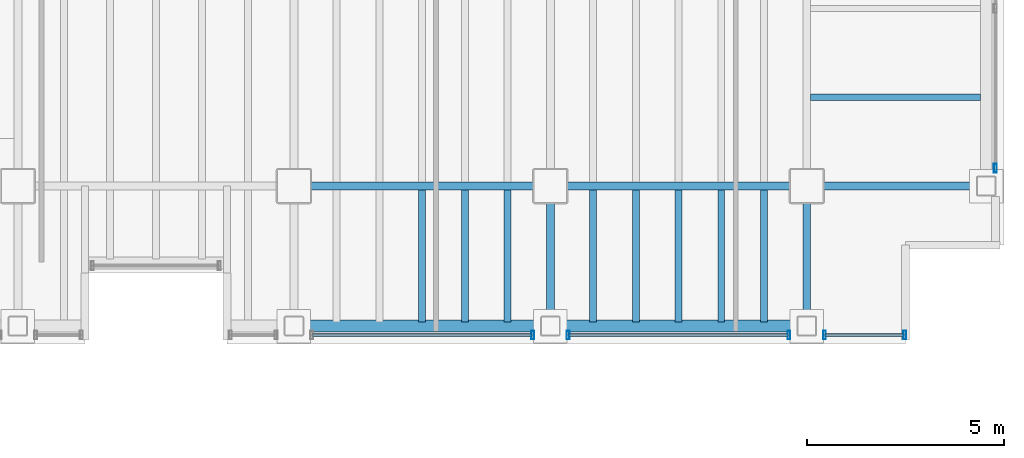
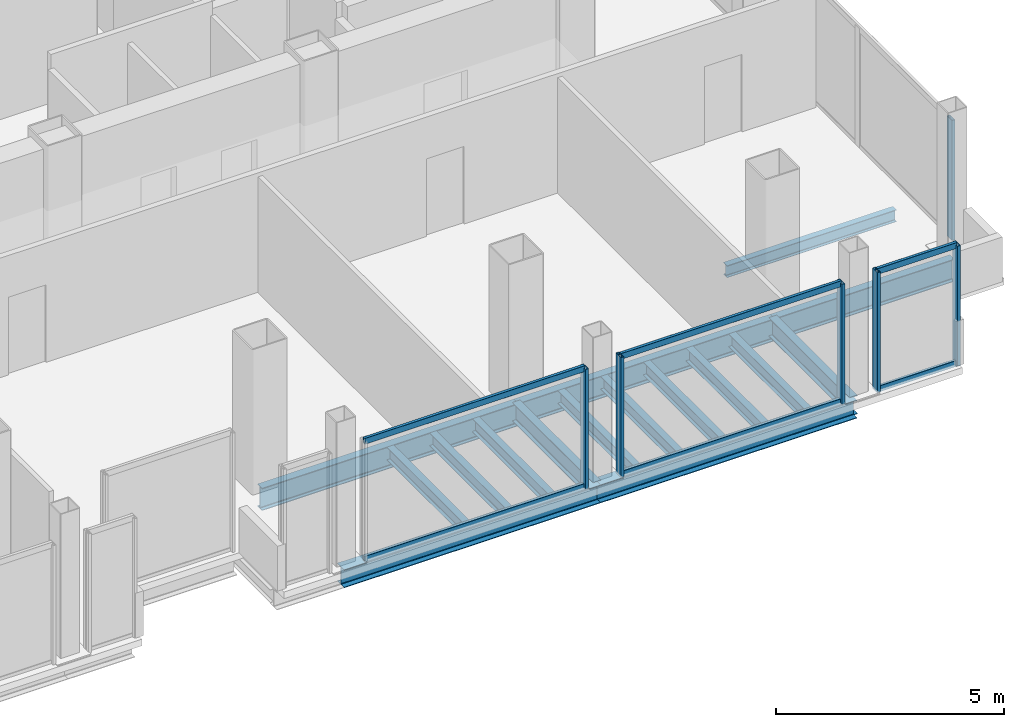
# One storey, part 11 of 18: 16 beams, 12 members, 4 elements without a shape of their own.
"""IFC4 building model written with IfcOpenShell, lengths in metres."""

from ifc_helpers import new_model, si_unit, direction, frame, origin, origin_2d, place, context, subcontext, project, spatial, hollow_rectangle, i_section, extrude, material, material_profile, profile_set, type_object, element, aggregate, save


model = new_model("IFC4")

# Units and contexts
model_context = context("Model", 3, precision=1e-05, world=origin(), true_north=direction((0.0, 1.0)))
body_context = subcontext(model_context, "Body", "Model", "MODEL_VIEW")
ifc_project = project(units=[si_unit("LENGTHUNIT", "METRE"), si_unit("AREAUNIT", "SQUARE_METRE"), si_unit("VOLUMEUNIT", "CUBIC_METRE"), si_unit("PLANEANGLEUNIT", "RADIAN"), si_unit("MASSUNIT", "GRAM", prefix="KILO")], contexts=[model_context])

# Site, building, storey
site_placement = place(None, origin())
site = spatial("IfcSite", under=ifc_project, at=site_placement, CompositionType="ELEMENT")
building_placement = place(site_placement, origin())
building = spatial("IfcBuilding", under=site, at=building_placement, Name="Noeulbin Bourse Tower", CompositionType="ELEMENT")
storey_placement = place(building_placement, frame((0.0, 0.0, 161.699951171875)))
storey = spatial("IfcBuildingStorey", under=building, at=storey_placement, Name="L40", CompositionType="ELEMENT", Elevation=161.699951171875)

# Beams
ifc_material_1 = material(Name="Steel S355", Category="steel")
ifc_material_profile_1 = material_profile(ifc_material_1, i_section(OverallWidth=0.199951171875, OverallDepth=0.5, WebThickness=0.010009765625, FlangeThickness=0.01611328125, FilletRadius=0.02001953125, at=origin_2d()), Name="H-500x200x10x16", Category="LoadBearing")
ifc_profile_set_1 = profile_set([ifc_material_profile_1], Name="Steel S355")
beam_type_1 = type_object("IfcBeamType", Name="BM-GRD-500", PredefinedType="USERDEFINED", material=ifc_profile_set_1)
for number, where, z_axis, x_axis, name in (
    (1, (37.5, 16.449951171875, -0.429931640625), (0.0, 1.0, 0.0), (-1.0, 0.0, 0.0), "Tower Primary Girder NS L40-4.1"),
    (2, (44.0, 16.449951171875, -0.429931640625), (0.0, 1.0, 0.0), (-1.0, 0.0, 0.0), "Tower Primary Girder NS L40-5.1"),
):
    element("IfcBeam", number, at=place(storey_placement, frame(where, z_axis=z_axis, x_axis=x_axis)), inside=storey, type_object=beam_type_1, Name=name, ObjectType="GIRDER", PredefinedType="USERDEFINED", context=body_context, shape_type="SweptSolid", body=[
        extrude(i_section(OverallWidth=0.199951171875, OverallDepth=0.5, WebThickness=0.010009765625, FlangeThickness=0.01611328125, FilletRadius=0.02001953125, at=origin_2d()), origin(), (0.0, 0.0, 1.0), 3.550048828125),
    ])
ifc_material_profile_2 = material_profile(ifc_material_1, i_section(OverallWidth=0.199951171875, OverallDepth=0.60009765625, WebThickness=0.010986328125, FlangeThickness=0.01708984375, FilletRadius=0.02197265625, at=origin_2d()), Name="H-600x200x11x17", Category="LoadBearing")
ifc_profile_set_2 = profile_set([ifc_material_profile_2], Name="Steel S355")
beam_type_2 = type_object("IfcBeamType", Name="BM-GRD-600", PredefinedType="USERDEFINED", material=ifc_profile_set_2)
for number, where, z_axis, x_axis, name in (
    (3, (31.0, 20.0, -0.47998046875), (1.0, 0.0, 0.0), (0.0, 1.0, 0.0), "Tower Primary Girder EW L40-1.4"),
    (4, (37.5, 20.0, -0.47998046875), (1.0, 0.0, 0.0), (0.0, 1.0, 0.0), "Tower Primary Girder EW L40-1.5"),
):
    element("IfcBeam", number, at=place(storey_placement, frame(where, z_axis=z_axis, x_axis=x_axis)), inside=storey, type_object=beam_type_2, Name=name, ObjectType="GIRDER", PredefinedType="USERDEFINED", context=body_context, shape_type="SweptSolid", body=[
        extrude(i_section(OverallWidth=0.199951171875, OverallDepth=0.60009765625, WebThickness=0.010986328125, FlangeThickness=0.01708984375, FilletRadius=0.02197265625, at=origin_2d()), origin(), (0.0, 0.0, 1.0), 6.5),
    ])
beam_1_placement = place(storey_placement, frame((44.0, 20.0, -0.47998046875), z_axis=(1.0, 0.0, 0.0), x_axis=(0.0, 1.0, 0.0)))
element("IfcBeam", 5, at=beam_1_placement, inside=storey, type_object=beam_type_2, Name="Tower Primary Girder EW L40-1.6", ObjectType="GIRDER", PredefinedType="USERDEFINED", context=body_context, shape_type="SweptSolid", body=[
    extrude(i_section(OverallWidth=0.199951171875, OverallDepth=0.60009765625, WebThickness=0.010986328125, FlangeThickness=0.01708984375, FilletRadius=0.02197265625, at=origin_2d()), origin(), (0.0, 0.0, 1.0), 4.550048828125),
])
ifc_material_profile_3 = material_profile(ifc_material_1, i_section(OverallWidth=0.159912109375, OverallDepth=0.320068359375, WebThickness=0.006591796875, FlangeThickness=0.010009765625, FilletRadius=0.012939453125, at=origin_2d()), Name="H-320x160x6.5x10", Category="LoadBearing")
ifc_profile_set_3 = profile_set([ifc_material_profile_3], Name="Steel S355")
beam_type_3 = type_object("IfcBeamType", Name="BM-JST-320", PredefinedType="JOIST", material=ifc_profile_set_3)
beam_2_placement = place(storey_placement, frame((44.10009765625, 22.25, -0.33984375), z_axis=(1.0, 0.0, 0.0), x_axis=(0.0, 1.0, 0.0)))
element("IfcBeam", 6, at=beam_2_placement, inside=storey, type_object=beam_type_3, Name="Wing Composite Joist L40-E73", PredefinedType="JOIST", context=body_context, shape_type="SweptSolid", body=[
    extrude(i_section(OverallWidth=0.159912109375, OverallDepth=0.320068359375, WebThickness=0.006591796875, FlangeThickness=0.010009765625, FilletRadius=0.012939453125, at=origin_2d()), origin(), (0.0, 0.0, 1.0), 4.2998046875),
])
ifc_material_profile_4 = material_profile(ifc_material_1, i_section(OverallWidth=0.175048828125, OverallDepth=0.35009765625, WebThickness=0.007080078125, FlangeThickness=0.010986328125, FilletRadius=0.013916015625, at=origin_2d()), Name="H-350x175x7x11", Category="LoadBearing")
ifc_profile_set_4 = profile_set([ifc_material_profile_4], Name="Steel S355")
beam_type_4 = type_object("IfcBeamType", Name="BM-JST-350", PredefinedType="JOIST", material=ifc_profile_set_4)
for number, where, z_axis, x_axis, name in (
    (7, (34.25, 16.550048828125, -0.35498046875), (0.0, 1.0, 0.0), (-1.0, 0.0, 0.0), "Tower Composite Joist L40-46"),
    (8, (35.333251953125, 16.550048828125, -0.35498046875), (0.0, 1.0, 0.0), (-1.0, 0.0, 0.0), "Tower Composite Joist L40-49"),
    (9, (36.416748046875, 16.550048828125, -0.35498046875), (0.0, 1.0, 0.0), (-1.0, 0.0, 0.0), "Tower Composite Joist L40-52"),
    (10, (38.583251953125, 16.550048828125, -0.35498046875), (0.0, 1.0, 0.0), (-1.0, 0.0, 0.0), "Tower Composite Joist L40-55"),
    (11, (39.666748046875, 16.550048828125, -0.35498046875), (0.0, 1.0, 0.0), (-1.0, 0.0, 0.0), "Tower Composite Joist L40-58"),
    (12, (40.75, 16.550048828125, -0.35498046875), (0.0, 1.0, 0.0), (-1.0, 0.0, 0.0), "Tower Composite Joist L40-61"),
    (13, (41.833251953125, 16.550048828125, -0.35498046875), (0.0, 1.0, 0.0), (-1.0, 0.0, 0.0), "Tower Composite Joist L40-64"),
    (14, (42.916748046875, 16.550048828125, -0.35498046875), (0.0, 1.0, 0.0), (-1.0, 0.0, 0.0), "Tower Composite Joist L40-67"),
):
    element("IfcBeam", number, at=place(storey_placement, frame(where, z_axis=z_axis, x_axis=x_axis)), inside=storey, type_object=beam_type_4, Name=name, PredefinedType="JOIST", context=body_context, shape_type="SweptSolid", body=[
        extrude(i_section(OverallWidth=0.175048828125, OverallDepth=0.35009765625, WebThickness=0.007080078125, FlangeThickness=0.010986328125, FilletRadius=0.013916015625, at=origin_2d()), origin(), (0.0, 0.0, 1.0), 3.349853515625),
    ])
ifc_material_profile_5 = material_profile(ifc_material_1, i_section(OverallWidth=0.300048828125, OverallDepth=0.488037109375, WebThickness=0.010986328125, FlangeThickness=0.01806640625, FilletRadius=0.02197265625, at=origin_2d()), Name="H-488x300x11x18", Category="LoadBearing")
ifc_profile_set_5 = profile_set([ifc_material_profile_5], Name="Steel S355")
beam_type_5 = type_object("IfcBeamType", Name="BM-SPN-488", PredefinedType="SPANDREL", material=ifc_profile_set_5)
for number, where, z_axis, x_axis, name in (
    (15, (31.0, 16.449951171875, -0.424072265625), (1.0, 0.0, 0.0), (0.0, 1.0, 0.0), "South Spandrel L40-3"),
    (16, (37.5, 16.449951171875, -0.424072265625), (1.0, 0.0, 0.0), (0.0, 1.0, 0.0), "South Spandrel L40-4"),
):
    element("IfcBeam", number, at=place(storey_placement, frame(where, z_axis=z_axis, x_axis=x_axis)), inside=storey, type_object=beam_type_5, Name=name, PredefinedType="SPANDREL", context=body_context, shape_type="SweptSolid", body=[
        extrude(i_section(OverallWidth=0.300048828125, OverallDepth=0.488037109375, WebThickness=0.010986328125, FlangeThickness=0.01806640625, FilletRadius=0.02197265625, at=origin_2d()), origin(), (0.0, 0.0, 1.0), 6.5),
    ])

# Curtain wall, member
ifc_material_2 = material(Name="Dark Tinted Triple Glazing", Category="glass")
curtain_wall_type = type_object("IfcCurtainWallType", Name="CW-SYS-3", PredefinedType="NOTDEFINED", material=ifc_material_2)
curtain_wall_1_placement = place(storey_placement, origin())
curtain_wall_1 = element("IfcCurtainWall", 17, at=curtain_wall_1_placement, inside=storey, type_object=curtain_wall_type, Name="Unitised Curtain Wall CW-L40-S3-S2", PredefinedType="NOTDEFINED")
ifc_material_3 = material(Name="Anodised Aluminium 6063-T6", Category="aluminium")
ifc_material_profile_6 = material_profile(ifc_material_3, hollow_rectangle(XDim=0.074951171875, YDim=0.219970703125, WallThickness=0.0048828125, InnerFilletRadius=0.00244140625, OuterFilletRadius=0.0048828125, at=origin_2d()), Name="ALU-MULL-75x220x5", Category="LoadBearing")
ifc_profile_set_6 = profile_set([ifc_material_profile_6], Name="Anodised Aluminium 6063-T6")
member_type_1 = type_object("IfcMemberType", Name="CW-SYS-3-MUL", PredefinedType="MULLION", material=ifc_profile_set_6)
member_1_placement = place(storey_placement, frame((37.050048828125, 16.219970703125, -0.02001953125), z_axis=(0.0, 0.0, 1.0), x_axis=(1.0, 0.0, 0.0)))
member_1 = element("IfcMember", 18, at=member_1_placement, type_object=member_type_1, Name="Curtain Wall Mullion CW-L40-S3-S2-M01", PredefinedType="MULLION", context=body_context, shape_type="SweptSolid", body=[
    extrude(hollow_rectangle(XDim=0.074951171875, YDim=0.219970703125, WallThickness=0.0048828125, InnerFilletRadius=0.00244140625, OuterFilletRadius=0.0048828125, at=origin_2d()), origin(), (0.0, 0.0, 1.0), 3.219970703125),
])

# Curtain wall, members
curtain_wall_2_placement = place(storey_placement, origin())
curtain_wall_2 = element("IfcCurtainWall", 19, at=curtain_wall_2_placement, inside=storey, type_object=curtain_wall_type, Name="Unitised Curtain Wall CW-L40-S3-S3", PredefinedType="NOTDEFINED")
member_2_placement = place(storey_placement, frame((37.949951171875, 16.219970703125, -0.02001953125), z_axis=(0.0, 0.0, 1.0), x_axis=(1.0, 0.0, 0.0)))
member_2 = element("IfcMember", 20, at=member_2_placement, type_object=member_type_1, Name="Curtain Wall Mullion CW-L40-S3-S3-M00", PredefinedType="MULLION", context=body_context, shape_type="SweptSolid", body=[
    extrude(hollow_rectangle(XDim=0.074951171875, YDim=0.219970703125, WallThickness=0.0048828125, InnerFilletRadius=0.00244140625, OuterFilletRadius=0.0048828125, at=origin_2d()), origin(), (0.0, 0.0, 1.0), 3.219970703125),
])
member_3_placement = place(storey_placement, frame((43.550048828125, 16.219970703125, -0.02001953125), z_axis=(0.0, 0.0, 1.0), x_axis=(1.0, 0.0, 0.0)))
member_3 = element("IfcMember", 21, at=member_3_placement, type_object=member_type_1, Name="Curtain Wall Mullion CW-L40-S3-S3-M01", PredefinedType="MULLION", context=body_context, shape_type="SweptSolid", body=[
    extrude(hollow_rectangle(XDim=0.074951171875, YDim=0.219970703125, WallThickness=0.0048828125, InnerFilletRadius=0.00244140625, OuterFilletRadius=0.0048828125, at=origin_2d()), origin(), (0.0, 0.0, 1.0), 3.219970703125),
])

curtain_wall_3_placement = place(storey_placement, origin())
curtain_wall_3 = element("IfcCurtainWall", 22, at=curtain_wall_3_placement, inside=storey, type_object=curtain_wall_type, Name="Unitised Curtain Wall CW-L40-S3-S4", PredefinedType="NOTDEFINED")
member_4_placement = place(storey_placement, frame((44.449951171875, 16.219970703125, -0.02001953125), z_axis=(0.0, 0.0, 1.0), x_axis=(1.0, 0.0, 0.0)))
member_4 = element("IfcMember", 23, at=member_4_placement, type_object=member_type_1, Name="Curtain Wall Mullion CW-L40-S3-S4-M00", PredefinedType="MULLION", context=body_context, shape_type="SweptSolid", body=[
    extrude(hollow_rectangle(XDim=0.074951171875, YDim=0.219970703125, WallThickness=0.0048828125, InnerFilletRadius=0.00244140625, OuterFilletRadius=0.0048828125, at=origin_2d()), origin(), (0.0, 0.0, 1.0), 3.219970703125),
])
member_5_placement = place(storey_placement, frame((46.47998046875, 16.219970703125, -0.02001953125), z_axis=(0.0, 0.0, 1.0), x_axis=(1.0, 0.0, 0.0)))
member_5 = element("IfcMember", 24, at=member_5_placement, type_object=member_type_1, Name="Curtain Wall Mullion CW-L40-S3-S4-M01", PredefinedType="MULLION", context=body_context, shape_type="SweptSolid", body=[
    extrude(hollow_rectangle(XDim=0.074951171875, YDim=0.219970703125, WallThickness=0.0048828125, InnerFilletRadius=0.00244140625, OuterFilletRadius=0.0048828125, at=origin_2d()), origin(), (0.0, 0.0, 1.0), 3.219970703125),
])

# Curtain wall, member
curtain_wall_4_placement = place(storey_placement, origin())
curtain_wall_4 = element("IfcCurtainWall", 25, at=curtain_wall_4_placement, inside=storey, type_object=curtain_wall_type, Name="Unitised Curtain Wall CW-L40-E-S1", PredefinedType="NOTDEFINED")
member_6_placement = place(storey_placement, frame((48.780029296875, 20.449951171875, -0.02001953125), z_axis=(0.0, 0.0, 1.0), x_axis=(1.0, 0.0, 0.0)))
member_6 = element("IfcMember", 26, at=member_6_placement, type_object=member_type_1, Name="Curtain Wall Mullion CW-L40-E-S1-M00", PredefinedType="MULLION", context=body_context, shape_type="SweptSolid", body=[
    extrude(hollow_rectangle(XDim=0.074951171875, YDim=0.219970703125, WallThickness=0.0048828125, InnerFilletRadius=0.00244140625, OuterFilletRadius=0.0048828125, at=origin_2d()), origin(), (0.0, 0.0, 1.0), 3.219970703125),
])
aggregate(curtain_wall_4, [member_6])

# Member
ifc_material_profile_7 = material_profile(ifc_material_3, hollow_rectangle(XDim=0.074951171875, YDim=0.159912109375, WallThickness=0.0048828125, InnerFilletRadius=0.00244140625, OuterFilletRadius=0.0048828125, at=origin_2d()), Name="ALU-TRAN-75x160x5", Category="LoadBearing")
ifc_profile_set_7 = profile_set([ifc_material_profile_7], Name="Anodised Aluminium 6063-T6")
member_type_2 = type_object("IfcMemberType", Name="CW-SYS-3-TRN", PredefinedType="USERDEFINED", material=ifc_profile_set_7)
member_7_placement = place(storey_placement, frame((31.4599609375, 16.219970703125, 0.010009765625), z_axis=(1.0, 0.0, 0.0), x_axis=(0.0, 1.0, 0.0)))
member_7 = element("IfcMember", 27, at=member_7_placement, type_object=member_type_2, Name="Curtain Wall Transom CW-L40-S3-S2-T00", ObjectType="TRANSOM", PredefinedType="USERDEFINED", context=body_context, shape_type="SweptSolid", body=[
    extrude(hollow_rectangle(XDim=0.074951171875, YDim=0.159912109375, WallThickness=0.0048828125, InnerFilletRadius=0.00244140625, OuterFilletRadius=0.0048828125, at=origin_2d()), origin(), (0.0, 0.0, 1.0), 5.580078125),
])

member_8_placement = place(storey_placement, frame((31.4599609375, 16.219970703125, 3.170166015625), z_axis=(1.0, 0.0, 0.0), x_axis=(0.0, 1.0, 0.0)))
member_8 = element("IfcMember", 28, at=member_8_placement, type_object=member_type_2, Name="Curtain Wall Transom CW-L40-S3-S2-T01", ObjectType="TRANSOM", PredefinedType="USERDEFINED", context=body_context, shape_type="SweptSolid", body=[
    extrude(hollow_rectangle(XDim=0.074951171875, YDim=0.159912109375, WallThickness=0.0048828125, InnerFilletRadius=0.00244140625, OuterFilletRadius=0.0048828125, at=origin_2d()), origin(), (0.0, 0.0, 1.0), 5.580078125),
])

aggregate(curtain_wall_1, [member_1, member_7, member_8])

member_9_placement = place(storey_placement, frame((37.9599609375, 16.219970703125, 0.010009765625), z_axis=(1.0, 0.0, 0.0), x_axis=(0.0, 1.0, 0.0)))
member_9 = element("IfcMember", 29, at=member_9_placement, type_object=member_type_2, Name="Curtain Wall Transom CW-L40-S3-S3-T00", ObjectType="TRANSOM", PredefinedType="USERDEFINED", context=body_context, shape_type="SweptSolid", body=[
    extrude(hollow_rectangle(XDim=0.074951171875, YDim=0.159912109375, WallThickness=0.0048828125, InnerFilletRadius=0.00244140625, OuterFilletRadius=0.0048828125, at=origin_2d()), origin(), (0.0, 0.0, 1.0), 5.580078125),
])

member_10_placement = place(storey_placement, frame((37.9599609375, 16.219970703125, 3.170166015625), z_axis=(1.0, 0.0, 0.0), x_axis=(0.0, 1.0, 0.0)))
member_10 = element("IfcMember", 30, at=member_10_placement, type_object=member_type_2, Name="Curtain Wall Transom CW-L40-S3-S3-T01", ObjectType="TRANSOM", PredefinedType="USERDEFINED", context=body_context, shape_type="SweptSolid", body=[
    extrude(hollow_rectangle(XDim=0.074951171875, YDim=0.159912109375, WallThickness=0.0048828125, InnerFilletRadius=0.00244140625, OuterFilletRadius=0.0048828125, at=origin_2d()), origin(), (0.0, 0.0, 1.0), 5.580078125),
])

aggregate(curtain_wall_2, [member_2, member_3, member_9, member_10])

member_11_placement = place(storey_placement, frame((44.4599609375, 16.219970703125, 0.010009765625), z_axis=(1.0, 0.0, 0.0), x_axis=(0.0, 1.0, 0.0)))
member_11 = element("IfcMember", 31, at=member_11_placement, type_object=member_type_2, Name="Curtain Wall Transom CW-L40-S3-S4-T00", ObjectType="TRANSOM", PredefinedType="USERDEFINED", context=body_context, shape_type="SweptSolid", body=[
    extrude(hollow_rectangle(XDim=0.074951171875, YDim=0.159912109375, WallThickness=0.0048828125, InnerFilletRadius=0.00244140625, OuterFilletRadius=0.0048828125, at=origin_2d()), origin(), (0.0, 0.0, 1.0), 2.010009765625),
])

member_12_placement = place(storey_placement, frame((44.4599609375, 16.219970703125, 3.170166015625), z_axis=(1.0, 0.0, 0.0), x_axis=(0.0, 1.0, 0.0)))
member_12 = element("IfcMember", 32, at=member_12_placement, type_object=member_type_2, Name="Curtain Wall Transom CW-L40-S3-S4-T01", ObjectType="TRANSOM", PredefinedType="USERDEFINED", context=body_context, shape_type="SweptSolid", body=[
    extrude(hollow_rectangle(XDim=0.074951171875, YDim=0.159912109375, WallThickness=0.0048828125, InnerFilletRadius=0.00244140625, OuterFilletRadius=0.0048828125, at=origin_2d()), origin(), (0.0, 0.0, 1.0), 2.010009765625),
])

aggregate(curtain_wall_3, [member_4, member_5, member_11, member_12])

save(model, "model.ifc")
